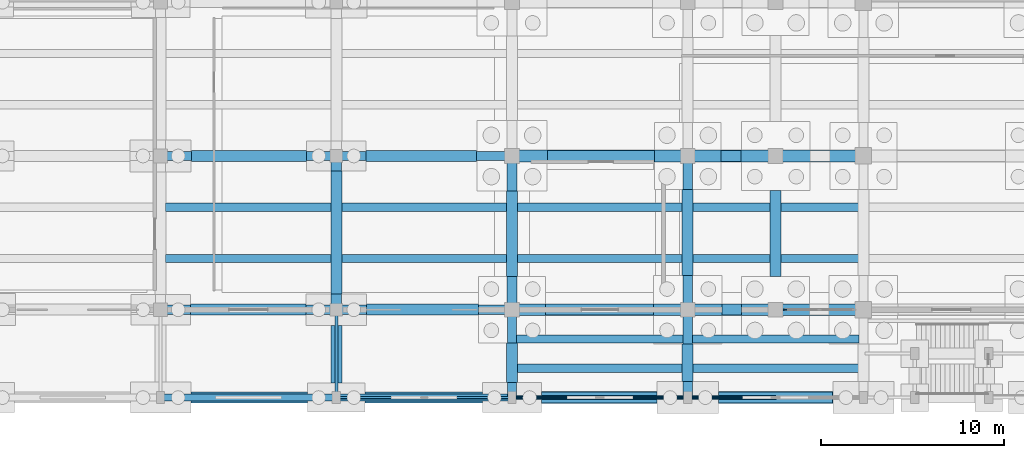
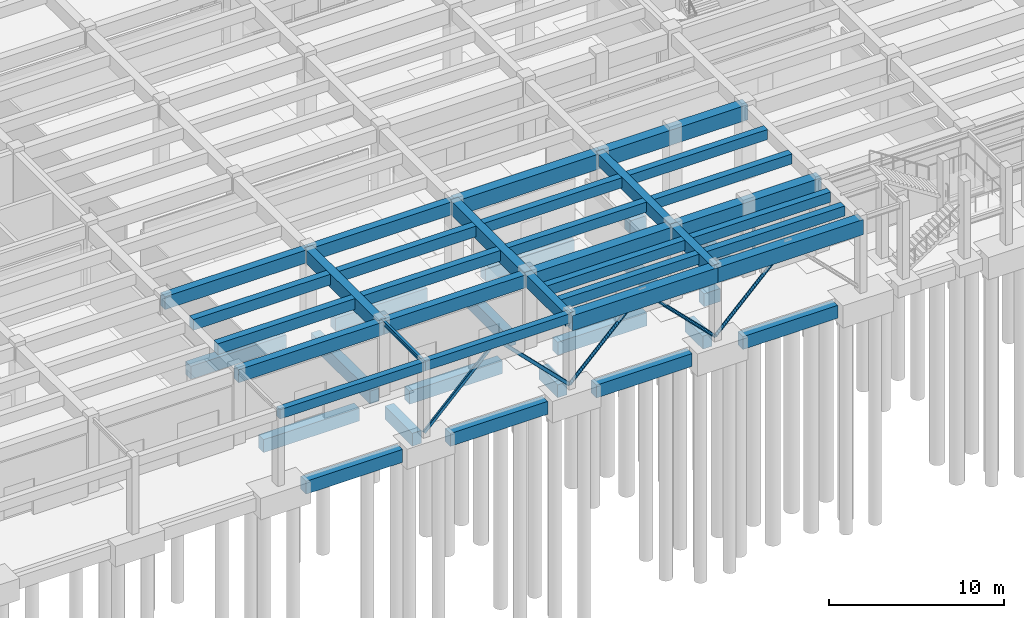
# One storey, part 13 of 102: 49 beams, 6 members, 1 element without a shape of its own.
"""IFC4 building model written with IfcOpenShell, lengths in metres."""

from ifc_helpers import new_model, si_unit, direction, frame, origin, origin_2d, place, context, subcontext, project, spatial, rectangle, hollow_rectangle, hollow_circle, i_section, extrude, material, layer, layer_set, material_profile, profile_set, type_object, element, aggregate, save


model = new_model("IFC4")

# Units and contexts
model_context = context("Model", 3, precision=1e-05, world=origin(), true_north=direction((0.0, 1.0)))
body_context = subcontext(model_context, "Body", "Model", "MODEL_VIEW")
ifc_project = project(units=[si_unit("LENGTHUNIT", "METRE"), si_unit("AREAUNIT", "SQUARE_METRE"), si_unit("VOLUMEUNIT", "CUBIC_METRE"), si_unit("PLANEANGLEUNIT", "RADIAN"), si_unit("MASSUNIT", "GRAM", prefix="KILO")], contexts=[model_context])

# Site, building, storey
site_placement = place(None, origin())
site = spatial("IfcSite", under=ifc_project, at=site_placement, CompositionType="ELEMENT")
building_placement = place(site_placement, origin())
building = spatial("IfcBuilding", under=site, at=building_placement, Name="Kolvemor Railside Polytechnic", CompositionType="ELEMENT")
storey_placement = place(building_placement, origin())
storey = spatial("IfcBuildingStorey", under=building, at=storey_placement, Name="L00", CompositionType="ELEMENT", Elevation=0.0)

# Beams
ifc_material_1 = material(Name="Concrete C40/50", Category="concrete")
ifc_material_profile_1 = material_profile(ifc_material_1, rectangle(XDim=0.39990234375, YDim=0.64990234375, at=origin_2d()), Name="RC400x650")
ifc_profile_set_1 = profile_set([ifc_material_profile_1], Name="Concrete C40/50")
beam_type_1 = type_object("IfcBeamType", Name="BM-RC-EDGE", PredefinedType="LINTEL", material=ifc_profile_set_1)
beam_1_placement = place(storey_placement, frame((28.800048828125, 0.0, 4.885009765625), z_axis=(1.0, 0.0, 0.0), x_axis=(0.0, 1.0, 0.0)))
element("IfcBeam", 1, at=beam_1_placement, inside=storey, type_object=beam_type_1, Name="Arcade Canopy Lintel Beam 1978", PredefinedType="LINTEL", context=body_context, shape_type="SweptSolid", body=[
    extrude(rectangle(XDim=0.39990234375, YDim=0.64990234375, at=origin_2d()), origin(), (0.0, 0.0, 1.0), 9.599853515625),
])
beam_2_placement = place(storey_placement, frame((38.39990234375, 0.0, 4.885009765625), z_axis=(1.0, 0.0, 0.0), x_axis=(0.0, 1.0, 0.0)))
element("IfcBeam", 2, at=beam_2_placement, inside=storey, type_object=beam_type_1, Name="Arcade Canopy Lintel Beam 1979", PredefinedType="LINTEL", context=body_context, shape_type="SweptSolid", body=[
    extrude(rectangle(XDim=0.39990234375, YDim=0.64990234375, at=origin_2d()), origin(), (0.0, 0.0, 1.0), 9.60009765625),
])
ifc_material_2 = material(Name="Concrete C40/50", Category="concrete")
ifc_material_profile_2 = material_profile(ifc_material_2, rectangle(XDim=0.550048828125, YDim=0.949951171875, at=origin_2d()), Name="RC550x950")
ifc_profile_set_2 = profile_set([ifc_material_profile_2], Name="Concrete C40/50")
beam_type_2 = type_object("IfcBeamType", Name="BM-RC-GIRD", PredefinedType="BEAM", material=ifc_profile_set_2)
for number, where, z_axis, x_axis, name in (
    (3, (38.39990234375, 4.800048828125, 4.635009765625), (0.0, 1.0, 0.0), (-1.0, 0.0, 0.0), "Primary Girder L01-GY 0087"),
    (4, (48.0, 4.800048828125, 4.635009765625), (0.0, 1.0, 0.0), (-1.0, 0.0, 0.0), "Primary Girder L01-GY 0096"),
):
    element("IfcBeam", number, at=place(storey_placement, frame(where, z_axis=z_axis, x_axis=x_axis)), inside=storey, type_object=beam_type_2, Name=name, PredefinedType="BEAM", context=body_context, shape_type="SweptSolid", body=[
        extrude(rectangle(XDim=0.550048828125, YDim=0.949951171875, at=origin_2d()), origin(), (0.0, 0.0, 1.0), 8.39990234375),
    ])
ifc_material_3 = material(Name="Concrete C40/50", Category="concrete")
ifc_material_profile_3 = material_profile(ifc_material_3, rectangle(XDim=0.64990234375, YDim=1.050048828125, at=origin_2d()), Name="RC650x1050")
ifc_profile_set_3 = profile_set([ifc_material_profile_3], Name="Concrete C40/50")
beam_type_3 = type_object("IfcBeamType", Name="BM-RC-GIRD2", PredefinedType="BEAM", material=ifc_profile_set_3)
beam_3_placement = place(storey_placement, frame((48.0, 4.800048828125, 4.5849609375), z_axis=(1.0, 0.0, 0.0), x_axis=(0.0, 1.0, 0.0)))
element("IfcBeam", 5, at=beam_3_placement, inside=storey, type_object=beam_type_3, Name="Primary Girder L01-GX 0191", PredefinedType="BEAM", context=body_context, shape_type="SweptSolid", body=[
    extrude(rectangle(XDim=0.64990234375, YDim=1.050048828125, at=origin_2d()), origin(), (0.0, 0.0, 1.0), 9.60009765625),
])
beam_4_placement = place(storey_placement, frame((57.60009765625, 4.800048828125, 4.5849609375), z_axis=(1.0, 0.0, 0.0), x_axis=(0.0, 1.0, 0.0)))
element("IfcBeam", 6, at=beam_4_placement, inside=storey, type_object=beam_type_3, Name="Primary Girder L01-GX 0192", PredefinedType="BEAM", context=body_context, shape_type="SweptSolid", body=[
    extrude(rectangle(XDim=0.64990234375, YDim=1.050048828125, at=origin_2d()), origin(), (0.0, 0.0, 1.0), 9.599853515625),
])
beam_5_placement = place(storey_placement, frame((48.0, 13.199951171875, 4.5849609375), z_axis=(1.0, 0.0, 0.0), x_axis=(0.0, 1.0, 0.0)))
element("IfcBeam", 7, at=beam_5_placement, inside=storey, type_object=beam_type_3, Name="Primary Girder L01-GX 0200", PredefinedType="BEAM", context=body_context, shape_type="SweptSolid", body=[
    extrude(rectangle(XDim=0.64990234375, YDim=1.050048828125, at=origin_2d()), origin(), (0.0, 0.0, 1.0), 9.60009765625),
])
beam_6_placement = place(storey_placement, frame((57.60009765625, 13.199951171875, 4.5849609375), z_axis=(1.0, 0.0, 0.0), x_axis=(0.0, 1.0, 0.0)))
element("IfcBeam", 8, at=beam_6_placement, inside=storey, type_object=beam_type_3, Name="Primary Girder L01-GX 0201", PredefinedType="BEAM", context=body_context, shape_type="SweptSolid", body=[
    extrude(rectangle(XDim=0.64990234375, YDim=1.050048828125, at=origin_2d()), origin(), (0.0, 0.0, 1.0), 9.599853515625),
])
beam_7_placement = place(storey_placement, frame((48.0, 0.0, 4.5849609375), z_axis=(1.0, 0.0, 0.0), x_axis=(0.0, 1.0, 0.0)))
element("IfcBeam", 9, at=beam_7_placement, inside=storey, type_object=beam_type_3, Name="Primary Girder L01-GX 1826", PredefinedType="BEAM", context=body_context, shape_type="SweptSolid", body=[
    extrude(rectangle(XDim=0.64990234375, YDim=1.050048828125, at=origin_2d()), origin(), (0.0, 0.0, 1.0), 9.60009765625),
])
beam_8_placement = place(storey_placement, frame((57.60009765625, 0.0, 4.5849609375), z_axis=(1.0, 0.0, 0.0), x_axis=(0.0, 1.0, 0.0)))
element("IfcBeam", 10, at=beam_8_placement, inside=storey, type_object=beam_type_3, Name="Primary Girder L01-GX 1827", PredefinedType="BEAM", context=body_context, shape_type="SweptSolid", body=[
    extrude(rectangle(XDim=0.64990234375, YDim=1.050048828125, at=origin_2d()), origin(), (0.0, 0.0, 1.0), 9.599853515625),
])
ifc_material_4 = material(Name="Concrete C40/50", Category="concrete")
ifc_material_profile_4 = material_profile(ifc_material_4, rectangle(XDim=0.5, YDim=0.85009765625, at=origin_2d()), Name="RC500x850")
ifc_profile_set_4 = profile_set([ifc_material_profile_4], Name="Concrete C40/50")
beam_type_4 = type_object("IfcBeamType", Name="BM-RC-GIRD3", PredefinedType="BEAM", material=ifc_profile_set_4)
beam_9_placement = place(storey_placement, frame((57.60009765625, 4.800048828125, 4.68505859375), z_axis=(0.0, 1.0, 0.0), x_axis=(-1.0, 0.0, 0.0)))
element("IfcBeam", 11, at=beam_9_placement, inside=storey, type_object=beam_type_4, Name="Primary Girder L01-GY 0236", PredefinedType="BEAM", context=body_context, shape_type="SweptSolid", body=[
    extrude(rectangle(XDim=0.5, YDim=0.85009765625, at=origin_2d()), origin(), (0.0, 0.0, 1.0), 8.39990234375),
])
for number, where, z_axis, x_axis, name in (
    (12, (48.0, 0.0, 4.68505859375), (0.0, 1.0, 0.0), (-1.0, 0.0, 0.0), "Primary Girder L01-GY 1828"),
    (13, (57.60009765625, 0.0, 4.68505859375), (0.0, 1.0, 0.0), (-1.0, 0.0, 0.0), "Primary Girder L01-GY 1829"),
):
    element("IfcBeam", number, at=place(storey_placement, frame(where, z_axis=z_axis, x_axis=x_axis)), inside=storey, type_object=beam_type_4, Name=name, PredefinedType="BEAM", context=body_context, shape_type="SweptSolid", body=[
        extrude(rectangle(XDim=0.5, YDim=0.85009765625, at=origin_2d()), origin(), (0.0, 0.0, 1.0), 4.800048828125),
    ])
ifc_material_5 = material(Name="Concrete C40/50", Category="concrete")
ifc_material_profile_5 = material_profile(ifc_material_5, rectangle(XDim=0.5, YDim=0.89990234375, at=origin_2d()), Name="RC500x900")
ifc_profile_set_5 = profile_set([ifc_material_profile_5], Name="Concrete C40/50")
beam_type_5 = type_object("IfcBeamType", Name="BM-RC-GIRD4", PredefinedType="BEAM", material=ifc_profile_set_5)
beam_10_placement = place(storey_placement, frame((28.800048828125, 4.800048828125, 4.659912109375), z_axis=(1.0, 0.0, 0.0), x_axis=(0.0, 1.0, 0.0)))
element("IfcBeam", 14, at=beam_10_placement, inside=storey, type_object=beam_type_5, Name="Primary Girder L01-GX 0004", PredefinedType="BEAM", context=body_context, shape_type="SweptSolid", body=[
    extrude(rectangle(XDim=0.5, YDim=0.89990234375, at=origin_2d()), origin(), (0.0, 0.0, 1.0), 9.599853515625),
])
beam_11_placement = place(storey_placement, frame((38.39990234375, 4.800048828125, 4.659912109375), z_axis=(1.0, 0.0, 0.0), x_axis=(0.0, 1.0, 0.0)))
element("IfcBeam", 15, at=beam_11_placement, inside=storey, type_object=beam_type_5, Name="Primary Girder L01-GX 0005", PredefinedType="BEAM", context=body_context, shape_type="SweptSolid", body=[
    extrude(rectangle(XDim=0.5, YDim=0.89990234375, at=origin_2d()), origin(), (0.0, 0.0, 1.0), 9.60009765625),
])
beam_12_placement = place(storey_placement, frame((28.800048828125, 13.199951171875, 4.659912109375), z_axis=(1.0, 0.0, 0.0), x_axis=(0.0, 1.0, 0.0)))
element("IfcBeam", 16, at=beam_12_placement, inside=storey, type_object=beam_type_5, Name="Primary Girder L01-GX 0009", PredefinedType="BEAM", context=body_context, shape_type="SweptSolid", body=[
    extrude(rectangle(XDim=0.5, YDim=0.89990234375, at=origin_2d()), origin(), (0.0, 0.0, 1.0), 9.599853515625),
])
beam_13_placement = place(storey_placement, frame((38.39990234375, 13.199951171875, 4.659912109375), z_axis=(1.0, 0.0, 0.0), x_axis=(0.0, 1.0, 0.0)))
element("IfcBeam", 17, at=beam_13_placement, inside=storey, type_object=beam_type_5, Name="Primary Girder L01-GX 0010", PredefinedType="BEAM", context=body_context, shape_type="SweptSolid", body=[
    extrude(rectangle(XDim=0.5, YDim=0.89990234375, at=origin_2d()), origin(), (0.0, 0.0, 1.0), 9.60009765625),
])
ifc_material_6 = material(Name="Concrete C40/50", Category="concrete")
ifc_material_profile_6 = material_profile(ifc_material_6, rectangle(XDim=0.449951171875, YDim=0.75, at=origin_2d()), Name="RC450x750")
ifc_profile_set_6 = profile_set([ifc_material_profile_6], Name="Concrete C40/50")
beam_type_6 = type_object("IfcBeamType", Name="BM-RC-SEC", PredefinedType="JOIST", material=ifc_profile_set_6)
for number, where, z_axis, x_axis, name in (
    (18, (29.074951171875, 7.60009765625, 4.735107421875), (1.0, 0.0, 0.0), (0.0, 1.0, 0.0), "Floor Joist L01-J0155"),
    (19, (29.074951171875, 10.39990234375, 4.735107421875), (1.0, 0.0, 0.0), (0.0, 1.0, 0.0), "Floor Joist L01-J0156"),
    (20, (38.675048828125, 7.60009765625, 4.735107421875), (1.0, 0.0, 0.0), (0.0, 1.0, 0.0), "Floor Joist L01-J0173"),
    (21, (38.675048828125, 10.39990234375, 4.735107421875), (1.0, 0.0, 0.0), (0.0, 1.0, 0.0), "Floor Joist L01-J0174"),
):
    element("IfcBeam", number, at=place(storey_placement, frame(where, z_axis=z_axis, x_axis=x_axis)), inside=storey, type_object=beam_type_6, Name=name, PredefinedType="JOIST", context=body_context, shape_type="SweptSolid", body=[
        extrude(rectangle(XDim=0.449951171875, YDim=0.75, at=origin_2d()), origin(), (0.0, 0.0, 1.0), 9.050048828125),
    ])
ifc_material_7 = material(Name="Concrete C40/50", Category="concrete")
ifc_material_profile_7 = material_profile(ifc_material_7, rectangle(XDim=0.449951171875, YDim=0.699951171875, at=origin_2d()), Name="RC450x700")
ifc_profile_set_7 = profile_set([ifc_material_profile_7], Name="Concrete C40/50")
beam_type_7 = type_object("IfcBeamType", Name="BM-RC-SEC2", PredefinedType="JOIST", material=ifc_profile_set_7)
for number, where, z_axis, x_axis, name in (
    (22, (48.25, 7.60009765625, 4.760009765625), (1.0, 0.0, 0.0), (0.0, 1.0, 0.0), "Floor Joist L01-J0272"),
    (23, (48.25, 10.39990234375, 4.760009765625), (1.0, 0.0, 0.0), (0.0, 1.0, 0.0), "Floor Joist L01-J0273"),
):
    element("IfcBeam", number, at=place(storey_placement, frame(where, z_axis=z_axis, x_axis=x_axis)), inside=storey, type_object=beam_type_7, Name=name, PredefinedType="JOIST", context=body_context, shape_type="SweptSolid", body=[
        extrude(rectangle(XDim=0.449951171875, YDim=0.699951171875, at=origin_2d()), origin(), (0.0, 0.0, 1.0), 9.10009765625),
    ])
for number, where, z_axis, x_axis, name in (
    (24, (57.85009765625, 7.60009765625, 4.760009765625), (1.0, 0.0, 0.0), (0.0, 1.0, 0.0), "Floor Joist L01-J0280"),
    (25, (57.85009765625, 10.39990234375, 4.760009765625), (1.0, 0.0, 0.0), (0.0, 1.0, 0.0), "Floor Joist L01-J0281"),
):
    element("IfcBeam", number, at=place(storey_placement, frame(where, z_axis=z_axis, x_axis=x_axis)), inside=storey, type_object=beam_type_7, Name=name, PredefinedType="JOIST", context=body_context, shape_type="SweptSolid", body=[
        extrude(rectangle(XDim=0.449951171875, YDim=0.699951171875, at=origin_2d()), origin(), (0.0, 0.0, 1.0), 9.099853515625),
    ])
for number, where, z_axis, x_axis, name in (
    (26, (48.25, 1.60009765625, 4.760009765625), (1.0, 0.0, 0.0), (0.0, 1.0, 0.0), "Floor Joist L01-J1831"),
    (27, (48.25, 3.199951171875, 4.760009765625), (1.0, 0.0, 0.0), (0.0, 1.0, 0.0), "Floor Joist L01-J1832"),
):
    element("IfcBeam", number, at=place(storey_placement, frame(where, z_axis=z_axis, x_axis=x_axis)), inside=storey, type_object=beam_type_7, Name=name, PredefinedType="JOIST", context=body_context, shape_type="SweptSolid", body=[
        extrude(rectangle(XDim=0.449951171875, YDim=0.699951171875, at=origin_2d()), origin(), (0.0, 0.0, 1.0), 9.10009765625),
    ])
for number, where, z_axis, x_axis, name in (
    (28, (57.85009765625, 1.60009765625, 4.760009765625), (1.0, 0.0, 0.0), (0.0, 1.0, 0.0), "Floor Joist L01-J1833"),
    (29, (57.85009765625, 3.199951171875, 4.760009765625), (1.0, 0.0, 0.0), (0.0, 1.0, 0.0), "Floor Joist L01-J1834"),
):
    element("IfcBeam", number, at=place(storey_placement, frame(where, z_axis=z_axis, x_axis=x_axis)), inside=storey, type_object=beam_type_7, Name=name, PredefinedType="JOIST", context=body_context, shape_type="SweptSolid", body=[
        extrude(rectangle(XDim=0.449951171875, YDim=0.699951171875, at=origin_2d()), origin(), (0.0, 0.0, 1.0), 9.099853515625),
    ])
ifc_material_8 = material(Name="Concrete C40/50", Category="concrete")
ifc_material_profile_8 = material_profile(ifc_material_8, rectangle(XDim=0.60009765625, YDim=0.89990234375, at=origin_2d()), Name="RC600x900")
ifc_profile_set_8 = profile_set([ifc_material_profile_8], Name="Concrete C40/50")
beam_type_8 = type_object("IfcBeamType", Name="BM-RC-TIE", PredefinedType="BEAM", material=ifc_profile_set_8)
beam_14_placement = place(storey_placement, frame((30.451904296875, 0.0, -0.75), z_axis=(1.0, 0.0, 0.0), x_axis=(0.0, 1.0, 0.0)))
element("IfcBeam", 30, at=beam_14_placement, inside=storey, type_object=beam_type_8, Name="Ground Tie Beam GTB-X004", PredefinedType="BEAM", context=body_context, shape_type="SweptSolid", body=[
    extrude(rectangle(XDim=0.60009765625, YDim=0.89990234375, at=origin_2d()), origin(), (0.0, 0.0, 1.0), 6.37109375),
])
beam_15_placement = place(storey_placement, frame((39.97705078125, 0.0, -0.75), z_axis=(1.0, 0.0, 0.0), x_axis=(0.0, 1.0, 0.0)))
element("IfcBeam", 31, at=beam_15_placement, inside=storey, type_object=beam_type_8, Name="Ground Tie Beam GTB-X005", PredefinedType="BEAM", context=body_context, shape_type="SweptSolid", body=[
    extrude(rectangle(XDim=0.60009765625, YDim=0.89990234375, at=origin_2d()), origin(), (0.0, 0.0, 1.0), 6.4208984375),
])
beam_16_placement = place(storey_placement, frame((49.60205078125, 0.0, -0.75), z_axis=(1.0, 0.0, 0.0), x_axis=(0.0, 1.0, 0.0)))
element("IfcBeam", 32, at=beam_16_placement, inside=storey, type_object=beam_type_8, Name="Ground Tie Beam GTB-X006", PredefinedType="BEAM", context=body_context, shape_type="SweptSolid", body=[
    extrude(rectangle(XDim=0.60009765625, YDim=0.89990234375, at=origin_2d()), origin(), (0.0, 0.0, 1.0), 6.321044921875),
])
beam_17_placement = place(storey_placement, frame((59.277099609375, 0.0, -0.75), z_axis=(1.0, 0.0, 0.0), x_axis=(0.0, 1.0, 0.0)))
element("IfcBeam", 33, at=beam_17_placement, inside=storey, type_object=beam_type_8, Name="Ground Tie Beam GTB-X007", PredefinedType="BEAM", context=body_context, shape_type="SweptSolid", body=[
    extrude(rectangle(XDim=0.60009765625, YDim=0.89990234375, at=origin_2d()), origin(), (0.0, 0.0, 1.0), 6.245849609375),
])
beam_18_placement = place(storey_placement, frame((30.427001953125, 4.800048828125, -0.75), z_axis=(1.0, 0.0, 0.0), x_axis=(0.0, 1.0, 0.0)))
element("IfcBeam", 34, at=beam_18_placement, inside=storey, type_object=beam_type_8, Name="Ground Tie Beam GTB-X026", PredefinedType="BEAM", context=body_context, shape_type="SweptSolid", body=[
    extrude(rectangle(XDim=0.60009765625, YDim=0.89990234375, at=origin_2d()), origin(), (0.0, 0.0, 1.0), 6.321044921875),
])
beam_19_placement = place(storey_placement, frame((40.052001953125, 4.800048828125, -0.75), z_axis=(1.0, 0.0, 0.0), x_axis=(0.0, 1.0, 0.0)))
element("IfcBeam", 35, at=beam_19_placement, inside=storey, type_object=beam_type_8, Name="Ground Tie Beam GTB-X027", PredefinedType="BEAM", context=body_context, shape_type="SweptSolid", body=[
    extrude(rectangle(XDim=0.60009765625, YDim=0.89990234375, at=origin_2d()), origin(), (0.0, 0.0, 1.0), 6.12109375),
])
beam_20_placement = place(storey_placement, frame((49.826904296875, 4.800048828125, -0.75), z_axis=(1.0, 0.0, 0.0), x_axis=(0.0, 1.0, 0.0)))
element("IfcBeam", 36, at=beam_20_placement, inside=storey, type_object=beam_type_8, Name="Ground Tie Beam GTB-X028", PredefinedType="BEAM", context=body_context, shape_type="SweptSolid", body=[
    extrude(rectangle(XDim=0.60009765625, YDim=0.89990234375, at=origin_2d()), origin(), (0.0, 0.0, 1.0), 5.89599609375),
])
beam_21_placement = place(storey_placement, frame((59.47705078125, 4.800048828125, -0.75), z_axis=(1.0, 0.0, 0.0), x_axis=(0.0, 1.0, 0.0)))
element("IfcBeam", 37, at=beam_21_placement, inside=storey, type_object=beam_type_8, Name="Ground Tie Beam GTB-X029", PredefinedType="BEAM", context=body_context, shape_type="SweptSolid", body=[
    extrude(rectangle(XDim=0.60009765625, YDim=0.89990234375, at=origin_2d()), origin(), (0.0, 0.0, 1.0), 1.071044921875),
])
beam_22_placement = place(storey_placement, frame((30.47705078125, 13.199951171875, -0.75), z_axis=(1.0, 0.0, 0.0), x_axis=(0.0, 1.0, 0.0)))
element("IfcBeam", 38, at=beam_22_placement, inside=storey, type_object=beam_type_8, Name="Ground Tie Beam GTB-X047", PredefinedType="BEAM", context=body_context, shape_type="SweptSolid", body=[
    extrude(rectangle(XDim=0.60009765625, YDim=0.89990234375, at=origin_2d()), origin(), (0.0, 0.0, 1.0), 6.2958984375),
])
beam_23_placement = place(storey_placement, frame((40.027099609375, 13.199951171875, -0.75), z_axis=(1.0, 0.0, 0.0), x_axis=(0.0, 1.0, 0.0)))
element("IfcBeam", 39, at=beam_23_placement, inside=storey, type_object=beam_type_8, Name="Ground Tie Beam GTB-X048", PredefinedType="BEAM", context=body_context, shape_type="SweptSolid", body=[
    extrude(rectangle(XDim=0.60009765625, YDim=0.89990234375, at=origin_2d()), origin(), (0.0, 0.0, 1.0), 6.0458984375),
])
beam_24_placement = place(storey_placement, frame((49.927001953125, 13.199951171875, -0.75), z_axis=(1.0, 0.0, 0.0), x_axis=(0.0, 1.0, 0.0)))
element("IfcBeam", 40, at=beam_24_placement, inside=storey, type_object=beam_type_8, Name="Ground Tie Beam GTB-X049", PredefinedType="BEAM", context=body_context, shape_type="SweptSolid", body=[
    extrude(rectangle(XDim=0.60009765625, YDim=0.89990234375, at=origin_2d()), origin(), (0.0, 0.0, 1.0), 5.845947265625),
])
beam_25_placement = place(storey_placement, frame((59.427001953125, 13.199951171875, -0.75), z_axis=(1.0, 0.0, 0.0), x_axis=(0.0, 1.0, 0.0)))
element("IfcBeam", 41, at=beam_25_placement, inside=storey, type_object=beam_type_8, Name="Ground Tie Beam GTB-X050", PredefinedType="BEAM", context=body_context, shape_type="SweptSolid", body=[
    extrude(rectangle(XDim=0.60009765625, YDim=0.89990234375, at=origin_2d()), origin(), (0.0, 0.0, 1.0), 1.095947265625),
])
beam_26_placement = place(storey_placement, frame((38.39990234375, 0.802001953125, -0.75), z_axis=(0.0, 1.0, 0.0), x_axis=(-1.0, 0.0, 0.0)))
element("IfcBeam", 42, at=beam_26_placement, inside=storey, type_object=beam_type_8, Name="Ground Tie Beam GTB-Y274", PredefinedType="BEAM", context=body_context, shape_type="SweptSolid", body=[
    extrude(rectangle(XDim=0.60009765625, YDim=0.89990234375, at=origin_2d()), origin(), (0.0, 0.0, 1.0), 3.14599609375),
])
beam_27_placement = place(storey_placement, frame((38.39990234375, 5.652099609375, -0.75), z_axis=(0.0, 1.0, 0.0), x_axis=(-1.0, 0.0, 0.0)))
element("IfcBeam", 43, at=beam_27_placement, inside=storey, type_object=beam_type_8, Name="Ground Tie Beam GTB-Y275", PredefinedType="BEAM", context=body_context, shape_type="SweptSolid", body=[
    extrude(rectangle(XDim=0.60009765625, YDim=0.89990234375, at=origin_2d()), origin(), (0.0, 0.0, 1.0), 6.720947265625),
])
beam_28_placement = place(storey_placement, frame((48.0, 0.826904296875, -0.75), z_axis=(0.0, 1.0, 0.0), x_axis=(-1.0, 0.0, 0.0)))
element("IfcBeam", 44, at=beam_28_placement, inside=storey, type_object=beam_type_8, Name="Ground Tie Beam GTB-Y287", PredefinedType="BEAM", context=body_context, shape_type="SweptSolid", body=[
    extrude(rectangle(XDim=0.60009765625, YDim=0.89990234375, at=origin_2d()), origin(), (0.0, 0.0, 1.0), 2.14599609375),
])
beam_29_placement = place(storey_placement, frame((48.0, 6.626953125, -0.75), z_axis=(0.0, 1.0, 0.0), x_axis=(-1.0, 0.0, 0.0)))
element("IfcBeam", 45, at=beam_29_placement, inside=storey, type_object=beam_type_8, Name="Ground Tie Beam GTB-Y288", PredefinedType="BEAM", context=body_context, shape_type="SweptSolid", body=[
    extrude(rectangle(XDim=0.60009765625, YDim=0.89990234375, at=origin_2d()), origin(), (0.0, 0.0, 1.0), 4.64599609375),
])
beam_30_placement = place(storey_placement, frame((57.60009765625, 0.876953125, -0.75), z_axis=(0.0, 1.0, 0.0), x_axis=(-1.0, 0.0, 0.0)))
element("IfcBeam", 46, at=beam_30_placement, inside=storey, type_object=beam_type_8, Name="Ground Tie Beam GTB-Y300", PredefinedType="BEAM", context=body_context, shape_type="SweptSolid", body=[
    extrude(rectangle(XDim=0.60009765625, YDim=0.89990234375, at=origin_2d()), origin(), (0.0, 0.0, 1.0), 2.046142578125),
])
for number, where, z_axis, x_axis, name in (
    (47, (57.60009765625, 6.677001953125, -0.75), (0.0, 1.0, 0.0), (-1.0, 0.0, 0.0), "Ground Tie Beam GTB-Y301"),
    (48, (62.39990234375, 6.626953125, -0.75), (0.0, 1.0, 0.0), (-1.0, 0.0, 0.0), "Ground Tie Beam GTB-Y308"),
):
    element("IfcBeam", number, at=place(storey_placement, frame(where, z_axis=z_axis, x_axis=x_axis)), inside=storey, type_object=beam_type_8, Name=name, PredefinedType="BEAM", context=body_context, shape_type="SweptSolid", body=[
        extrude(rectangle(XDim=0.60009765625, YDim=0.89990234375, at=origin_2d()), origin(), (0.0, 0.0, 1.0), 4.696044921875),
    ])
ifc_material_9 = material(Name="Steel S355", Category="steel")
ifc_material_profile_9 = material_profile(ifc_material_9, i_section(OverallWidth=0.166015625, OverallDepth=0.31298828125, WebThickness=0.006591796875, FlangeThickness=0.01123046875, FilletRadius=0.010009765625, at=origin_2d()), Name="W310x45")
ifc_profile_set_9 = profile_set([ifc_material_profile_9], Name="Steel S355")
beam_type_9 = type_object("IfcBeamType", Name="BM-ST-SUB", PredefinedType="BEAM", material=ifc_profile_set_9)
beam_31_placement = place(storey_placement, frame((38.39990234375, 0.0, 5.052978515625), z_axis=(0.0, 1.0, 0.0), x_axis=(-1.0, 0.0, 0.0)))
element("IfcBeam", 49, at=beam_31_placement, inside=storey, type_object=beam_type_9, Name="Arcade Outrigger Collector Beam 1993", PredefinedType="BEAM", context=body_context, shape_type="SweptSolid", body=[
    extrude(i_section(OverallWidth=0.166015625, OverallDepth=0.31298828125, WebThickness=0.006591796875, FlangeThickness=0.01123046875, FilletRadius=0.010009765625, at=origin_2d()), origin(), (0.0, 0.0, 1.0), 4.800048828125),
])

# Curtain wall, member
ifc_material_10 = material(Name="Anodised marine aluminium and laminated low-E glass", Category="aluminium")
ifc_layer = layer(ifc_material_10, 0.179931640625, Name="CW-UNIT-STD")
ifc_layer_set = layer_set([ifc_layer], Name="Anodised marine aluminium and laminated low-E glass")
curtain_wall_type = type_object("IfcCurtainWallType", Name="CW-UNIT-STD", PredefinedType="USERDEFINED", material=ifc_layer_set)
curtain_wall_placement = place(storey_placement, origin())
curtain_wall = element("IfcCurtainWall", 50, at=curtain_wall_placement, inside=storey, type_object=curtain_wall_type, Name="Curtain Wall L00-094", ObjectType="UNITISED CURTAIN WALL", PredefinedType="USERDEFINED")
ifc_material_11 = material(Name="Anodised marine aluminium 6063-T6", Category="aluminium")
ifc_material_profile_10 = material_profile(ifc_material_11, rectangle(XDim=0.074951171875, YDim=0.179931640625, at=origin_2d()), Name="CW-MUL-75x180")
ifc_profile_set_10 = profile_set([ifc_material_profile_10], Name="Anodised marine aluminium 6063-T6")
member_type_1 = type_object("IfcMemberType", Name="CWM-75x180", PredefinedType="MULLION", material=ifc_profile_set_10)
member_1_placement = place(storey_placement, frame((62.907470703125, 4.800048828125, 0.0), z_axis=(0.0, 0.0, 1.0), x_axis=(0.0, 1.0, 0.0)))
member_1 = element("IfcMember", 51, at=member_1_placement, type_object=member_type_1, Name="CW-STD mullion 1", PredefinedType="MULLION", context=body_context, shape_type="SweptSolid", body=[
    extrude(rectangle(XDim=0.074951171875, YDim=0.179931640625, at=origin_2d()), origin(), (0.0, 0.0, 1.0), 4.0400390625),
])
aggregate(curtain_wall, [member_1])

# Members
ifc_material_12 = material(Name="Steel S355", Category="steel")
ifc_material_profile_11 = material_profile(ifc_material_12, hollow_circle(Radius=0.109619140625, WallThickness=0.010009765625, at=origin_2d()), Name="CHS219.1x10")
ifc_profile_set_11 = profile_set([ifc_material_profile_11], Name="Steel S355")
member_type_2 = type_object("IfcMemberType", Name="MEM-BR-CHS1", PredefinedType="BRACE", material=ifc_profile_set_11)
member_2_placement = place(storey_placement, frame((57.60009765625, 0.0, 0.14990234375), z_axis=(0.707088798028, 0.0, 0.707124763888), x_axis=(0.0, 1.0, 0.0)))
element("IfcMember", 52, at=member_2_placement, inside=storey, type_object=member_type_2, Name="Wind Chevron Brace BR-09A", PredefinedType="BRACE", context=body_context, shape_type="SweptSolid", body=[
    extrude(hollow_circle(Radius=0.109619140625, WallThickness=0.010009765625, at=origin_2d()), origin(), (0.0, 0.0, 1.0), 6.7880859375),
])
for number, where, z_axis, x_axis, name in (
    (53, (48.0, 0.0, 0.14990234375), (0.707106781187, 0.0, 0.707106781187), (0.0, 1.0, 0.0), "Wind Chevron Brace BR-22A"),
    (54, (57.60009765625, 0.0, 0.14990234375), (-0.707106781187, 0.0, 0.707106781187), (0.0, -1.0, 0.0), "Wind Chevron Brace BR-22B"),
):
    element("IfcMember", number, at=place(storey_placement, frame(where, z_axis=z_axis, x_axis=x_axis)), inside=storey, type_object=member_type_2, Name=name, PredefinedType="BRACE", context=body_context, shape_type="SweptSolid", body=[
        extrude(hollow_circle(Radius=0.109619140625, WallThickness=0.010009765625, at=origin_2d()), origin(), (0.0, 0.0, 1.0), 6.788330078125),
    ])
ifc_material_13 = material(Name="Steel S355", Category="steel")
ifc_material_profile_12 = material_profile(ifc_material_13, hollow_rectangle(XDim=0.139892578125, YDim=0.219970703125, WallThickness=0.010009765625, InnerFilletRadius=0.010009765625, OuterFilletRadius=0.02001953125, at=origin_2d()), Name="HSS220x140x10")
ifc_profile_set_12 = profile_set([ifc_material_profile_12], Name="Steel S355")
member_type_3 = type_object("IfcMemberType", Name="MEM-BR-HSS3", PredefinedType="BRACE", material=ifc_profile_set_12)
for number, where, z_axis, x_axis, name in (
    (55, (38.39990234375, 0.0, 0.14990234375), (0.707106781187, 0.0, 0.707106781187), (0.0, 1.0, 0.0), "Wind Chevron Brace BR-18A"),
    (56, (48.0, 0.0, 0.14990234375), (-0.707106781187, 0.0, 0.707106781187), (0.0, -1.0, 0.0), "Wind Chevron Brace BR-18B"),
):
    element("IfcMember", number, at=place(storey_placement, frame(where, z_axis=z_axis, x_axis=x_axis)), inside=storey, type_object=member_type_3, Name=name, PredefinedType="BRACE", context=body_context, shape_type="SweptSolid", body=[
        extrude(hollow_rectangle(XDim=0.139892578125, YDim=0.219970703125, WallThickness=0.010009765625, InnerFilletRadius=0.010009765625, OuterFilletRadius=0.02001953125, at=origin_2d()), origin(), (0.0, 0.0, 1.0), 6.788330078125),
    ])

save(model, "model.ifc")
